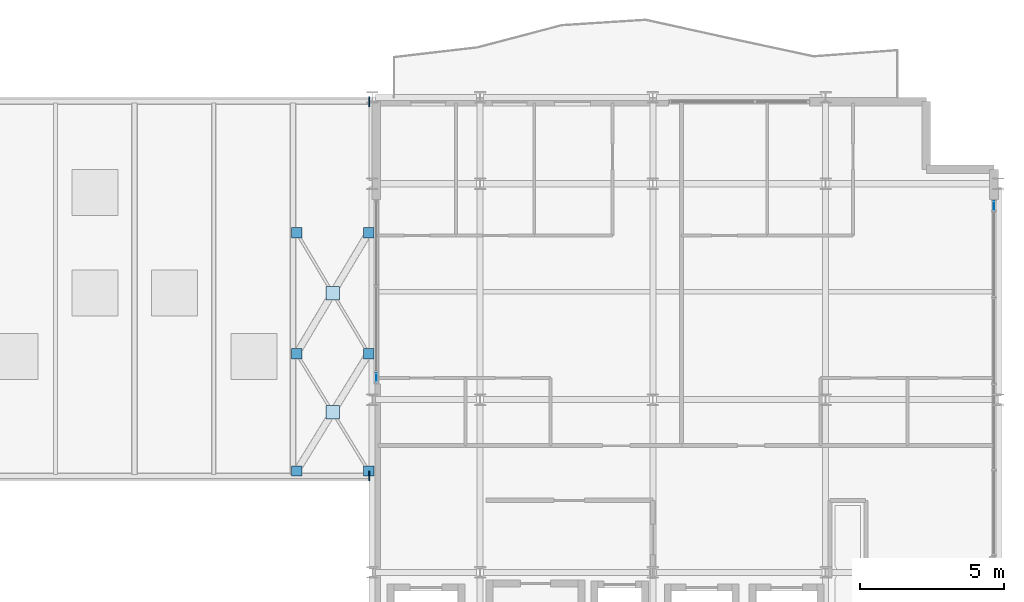
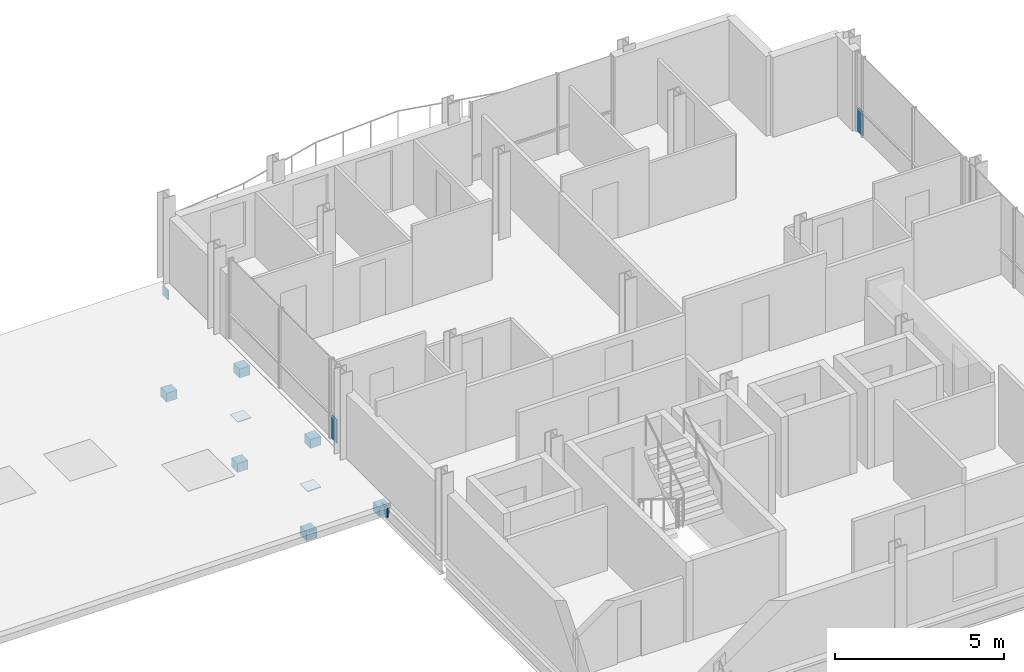
# One storey, part 26 of 33: 12 plates, 2 elements without a shape of their own.
"""IFC4 building model written with IfcOpenShell, lengths in metres."""

from ifc_helpers import new_model, si_unit, direction, frame, origin, origin_2d, place, context, subcontext, project, spatial, rectangle, extrude, material, layer, layer_set, type_object, element, aggregate, save


model = new_model("IFC4")

# Units and contexts
model_context = context("Model", 3, precision=1e-05, world=origin(), true_north=direction((0.0, 1.0)))
body_context = subcontext(model_context, "Body", "Model", "MODEL_VIEW")
ifc_project = project(units=[si_unit("LENGTHUNIT", "METRE"), si_unit("AREAUNIT", "SQUARE_METRE"), si_unit("VOLUMEUNIT", "CUBIC_METRE"), si_unit("PLANEANGLEUNIT", "RADIAN"), si_unit("MASSUNIT", "GRAM", prefix="KILO")], contexts=[model_context])

# Site, building, storey
site_placement = place(None, origin())
site = spatial("IfcSite", under=ifc_project, at=site_placement, CompositionType="ELEMENT")
building_placement = place(site_placement, origin())
building = spatial("IfcBuilding", under=site, at=building_placement, Name="Brevholm Reach", CompositionType="ELEMENT")
storey_placement = place(building_placement, frame((0.0, 0.0, 189.39990234375)))
storey = spatial("IfcBuildingStorey", under=building, at=storey_placement, Name="L57", CompositionType="ELEMENT", Elevation=189.39990234375)

# Curtain wall, plate
ifc_material_1 = material(Name="Dark Anodised Aluminium 6063-T6 and Solar-Control Glass", Category="aluminium")
ifc_layer_1 = layer(ifc_material_1, 0.1650390625)
ifc_layer_set_1 = layer_set([ifc_layer_1], Name="Dark Anodised Aluminium 6063-T6 and Solar-Control Glass")
curtain_wall_type_1 = type_object("IfcCurtainWallType", Name="CW-04", PredefinedType="NOTDEFINED", material=ifc_layer_set_1)
curtain_wall_1_placement = place(storey_placement, origin())
curtain_wall_1 = element("IfcCurtainWall", 1, at=curtain_wall_1_placement, inside=storey, type_object=curtain_wall_type_1, Name="L57 Curtain Wall CW-04", PredefinedType="NOTDEFINED")
ifc_material_2 = material(Name="Dark Solar-Control Double-Glazed IGU Glass", Category="glass")
ifc_layer_2 = layer(ifc_material_2, 0.028076171875)
ifc_layer_set_2 = layer_set([ifc_layer_2], Name="Dark Solar-Control Double-Glazed IGU Glass")
plate_type_1 = type_object("IfcPlateType", Name="CWP-GLZ-28", PredefinedType="CURTAIN_PANEL", material=ifc_layer_set_2)
plate_1_placement = place(storey_placement, frame((38.39990234375, 16.767578125, 0.0), z_axis=(0.0, 0.0, 1.0), x_axis=(0.0, -1.0, 0.0)))
plate_1 = element("IfcPlate", 2, at=plate_1_placement, type_object=plate_type_1, Name="CP-01 Glazing Panel 3.1", PredefinedType="CURTAIN_PANEL", context=body_context, shape_type="SweptSolid", body=[
    extrude(rectangle(XDim=0.294921875, YDim=0.028076171875, at=origin_2d()), origin(), (0.0, 0.0, 1.0), 0.864990234375),
])
aggregate(curtain_wall_1, [plate_1])

ifc_material_3 = material(Name="Dark Anodised Aluminium 6063-T6 and Solar-Control Glass", Category="aluminium")
ifc_layer_3 = layer(ifc_material_3, 0.14990234375)
ifc_layer_set_3 = layer_set([ifc_layer_3], Name="Dark Anodised Aluminium 6063-T6 and Solar-Control Glass")
curtain_wall_type_2 = type_object("IfcCurtainWallType", Name="CW-01", PredefinedType="NOTDEFINED", material=ifc_layer_set_3)
curtain_wall_2_placement = place(storey_placement, origin())
curtain_wall_2 = element("IfcCurtainWall", 3, at=curtain_wall_2_placement, inside=storey, type_object=curtain_wall_type_2, Name="L57 Curtain Wall CW-01", PredefinedType="NOTDEFINED")
plate_2_placement = place(storey_placement, frame((59.85009765625, 22.733642578125, 0.0), z_axis=(0.0, 0.0, 1.0), x_axis=(0.0, 1.0, 0.0)))
plate_2 = element("IfcPlate", 4, at=plate_2_placement, type_object=plate_type_1, Name="CP-01 Glazing Panel 5.1", PredefinedType="CURTAIN_PANEL", context=body_context, shape_type="SweptSolid", body=[
    extrude(rectangle(XDim=0.302490234375, YDim=0.028076171875, at=origin_2d()), origin(), (0.0, 0.0, 1.0), 0.867431640625),
])
aggregate(curtain_wall_2, [plate_2])

# Plates
ifc_material_4 = material(Name="Structural Steel S355J2", Category="steel")
ifc_layer_4 = layer(ifc_material_4, 0.02392578125)
ifc_layer_set_4 = layer_set([ifc_layer_4], Name="Structural Steel S355J2")
plate_type_2 = type_object("IfcPlateType", Name="PLT-GUS-24", PredefinedType="USERDEFINED", material=ifc_layer_set_4)
plate_3_placement = place(storey_placement, frame((36.8798828125, 15.56005859375, -0.366943359375), z_axis=(0.0, 0.0, 1.0), x_axis=(1.0, 0.0, 0.0)))
element("IfcPlate", 5, at=plate_3_placement, inside=storey, type_object=plate_type_2, Name="L57 Skylight X-Brace Central Gusset 4", ObjectType="GUSSET_PLATE", PredefinedType="USERDEFINED", context=body_context, shape_type="SweptSolid", body=[
    extrude(rectangle(XDim=0.4599609375, YDim=0.4599609375, at=origin_2d()), origin(), (0.0, 0.0, 1.0), 0.02392578125),
])
for number, where, z_axis, x_axis, name in (
    (6, (35.6298828125, 13.52001953125, -0.51513671875), (0.0, 0.0, 1.0), (1.0, 0.0, 0.0), "L57 Skylight Hollow Brace Welded End Cap 4.1"),
    (7, (38.1298828125, 17.60009765625, -0.51513671875), (0.0, 0.0, 1.0), (1.0, 0.0, 0.0), "L57 Skylight Hollow Brace Welded End Cap 4.2"),
    (8, (35.6298828125, 17.60009765625, -0.51513671875), (0.0, 0.0, 1.0), (1.0, 0.0, 0.0), "L57 Skylight Hollow Brace Welded End Cap 4.3"),
    (9, (38.1298828125, 13.52001953125, -0.51513671875), (0.0, 0.0, 1.0), (1.0, 0.0, 0.0), "L57 Skylight Hollow Brace Welded End Cap 4.4"),
):
    element("IfcPlate", number, at=place(storey_placement, frame(where, z_axis=z_axis, x_axis=x_axis)), inside=storey, type_object=plate_type_2, Name=name, ObjectType="GUSSET_PLATE", PredefinedType="USERDEFINED", context=body_context, shape_type="SweptSolid", body=[
        extrude(rectangle(XDim=0.360107421875, YDim=0.360107421875, at=origin_2d()), origin(), (0.0, 0.0, 1.0), 0.320068359375),
    ])
plate_4_placement = place(storey_placement, frame((36.8798828125, 19.699951171875, -0.366943359375), z_axis=(0.0, 0.0, 1.0), x_axis=(1.0, 0.0, 0.0)))
element("IfcPlate", 10, at=plate_4_placement, inside=storey, type_object=plate_type_2, Name="L57 Skylight X-Brace Central Gusset 5", ObjectType="GUSSET_PLATE", PredefinedType="USERDEFINED", context=body_context, shape_type="SweptSolid", body=[
    extrude(rectangle(XDim=0.4599609375, YDim=0.4599609375, at=origin_2d()), origin(), (0.0, 0.0, 1.0), 0.02392578125),
])
for number, where, z_axis, x_axis, name in (
    (11, (38.1298828125, 21.800048828125, -0.51513671875), (0.0, 0.0, 1.0), (1.0, 0.0, 0.0), "L57 Skylight Hollow Brace Welded End Cap 5.2"),
    (12, (35.6298828125, 21.800048828125, -0.51513671875), (0.0, 0.0, 1.0), (1.0, 0.0, 0.0), "L57 Skylight Hollow Brace Welded End Cap 5.3"),
):
    element("IfcPlate", number, at=place(storey_placement, frame(where, z_axis=z_axis, x_axis=x_axis)), inside=storey, type_object=plate_type_2, Name=name, ObjectType="GUSSET_PLATE", PredefinedType="USERDEFINED", context=body_context, shape_type="SweptSolid", body=[
        extrude(rectangle(XDim=0.360107421875, YDim=0.360107421875, at=origin_2d()), origin(), (0.0, 0.0, 1.0), 0.320068359375),
    ])
for number, where, z_axis, x_axis, name in (
    (13, (38.14990234375, 13.35009765625, -0.52490234375), (0.0, 0.0, 1.0), (1.0, 0.0, 0.0), "L57 Skylight Header Welded End Cap 1E"),
    (14, (38.14990234375, 26.35009765625, -0.52490234375), (0.0, 0.0, 1.0), (1.0, 0.0, 0.0), "L57 Skylight Header Welded End Cap 2E"),
):
    element("IfcPlate", number, at=place(storey_placement, frame(where, z_axis=z_axis, x_axis=x_axis)), inside=storey, type_object=plate_type_2, Name=name, ObjectType="GUSSET_PLATE", PredefinedType="USERDEFINED", context=body_context, shape_type="SweptSolid", body=[
        extrude(rectangle(XDim=0.035888671875, YDim=0.340087890625, at=origin_2d()), origin(), (0.0, 0.0, 1.0), 0.340087890625),
    ])

save(model, "model.ifc")
